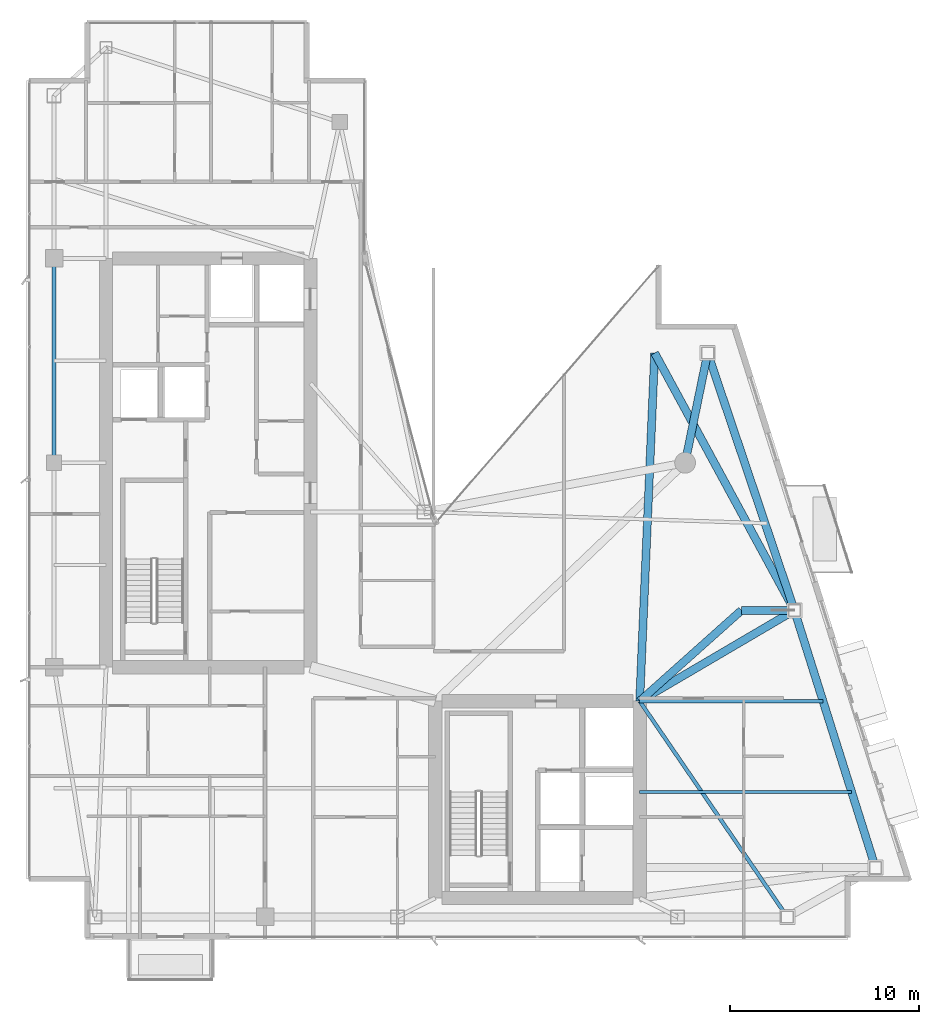
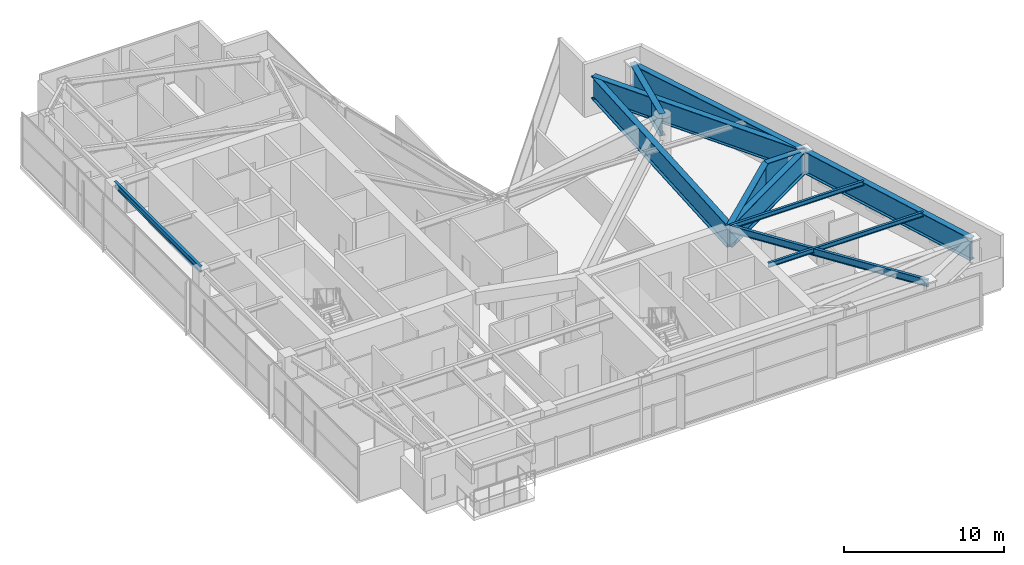
# One storey, part 15 of 29: 12 beams.
"""IFC4 building model written with IfcOpenShell, lengths in metres."""

import ifcopenshell
import ifcopenshell.guid

model = None  # the IFC model being written
_history = None  # IfcOwnerHistory: only IFC2X3 demands one
_inside = {}  # id of a spatial element -> (the spatial element, [elements in it])
_under = {}  # id of a project, library or spatial element -> (it, [spatial elements below it])
_declared = {}  # id of a project -> (the project, [libraries it declares])
_typed = {}  # id of a type object -> (the type object, [elements of that type])
_made_of = {}  # id of a material, layer set ... -> (it, [elements and type objects made of it])


def new_model(schema):
    """Start an empty IFC model of exactly this schema.

    Asked for "IFC4X3", IfcOpenShell would pick the latest addendum, in which some entities
    have other attributes; the version numbers below select the first issue.
    IFC2X3 requires an IfcOwnerHistory on every rooted entity: one is made here for all.
    """
    global model, _history
    if schema == "IFC4X3":
        model = ifcopenshell.file(schema_version=(4, 3, 0, 0))
    else:
        model = ifcopenshell.file(schema=schema)
    _inside.clear()
    _under.clear()
    _declared.clear()
    _typed.clear()
    _made_of.clear()
    _history = None
    if model.schema == "IFC2X3":
        org = make("IfcOrganization", Name="unknown")
        user = make(
            "IfcPersonAndOrganization",
            ThePerson=make("IfcPerson", FamilyName="unknown"),
            TheOrganization=org,
        )
        app = make(
            "IfcApplication",
            ApplicationDeveloper=org,
            Version="unknown",
            ApplicationFullName="unknown",
            ApplicationIdentifier="unknown",
        )
        _history = make(
            "IfcOwnerHistory",
            OwningUser=user,
            OwningApplication=app,
            ChangeAction="ADDED",
            CreationDate=0,
        )
    return model


def make(cls, **values):
    """One entity of the class cls with the attributes given. An attribute that is None is left unset."""
    return model.create_entity(
        cls, **{name: value for name, value in values.items() if value is not None}
    )


def rooted(cls, **values):
    """An entity with a GlobalId (a new one), such as an element, a storey or a relation."""
    return make(cls, GlobalId=ifcopenshell.guid.new(), OwnerHistory=_history, **values)


def si_unit(unit_type, name, prefix=None):
    """IfcSIUnit, for example si_unit("LENGTHUNIT", "METRE", prefix="MILLI")."""
    return make("IfcSIUnit", UnitType=unit_type, Prefix=prefix, Name=name)


def assignment(units):
    """IfcUnitAssignment: the units of a project."""
    return None if units is None else make("IfcUnitAssignment", Units=units)


def point(xyz):
    """IfcCartesianPoint."""
    return None if xyz is None else make("IfcCartesianPoint", Coordinates=xyz)


def direction(xyz):
    """IfcDirection."""
    return None if xyz is None else make("IfcDirection", DirectionRatios=xyz)


def frame(location, z_axis=None, x_axis=None):
    """IfcAxis2Placement3D, a coordinate frame: its origin and axes. An axis left out is left unset."""
    return make(
        "IfcAxis2Placement3D",
        Location=point(location),
        Axis=direction(z_axis),
        RefDirection=direction(x_axis),
    )


def frame_2d(location, x_axis=None):
    """IfcAxis2Placement2D, a coordinate frame in the plane: its origin and x axis."""
    return make(
        "IfcAxis2Placement2D", Location=point(location), RefDirection=direction(x_axis)
    )


def origin():
    """The frame at (0, 0, 0) with its axes left unset."""
    return frame((0.0, 0.0, 0.0))


def origin_2d():
    """The frame at (0, 0) in the plane with its x axis left unset."""
    return frame_2d((0.0, 0.0))


def place(relative_to, where):
    """IfcLocalPlacement: puts the frame where relative to a parent placement (None: the world)."""
    return make(
        "IfcLocalPlacement", PlacementRelTo=relative_to, RelativePlacement=where
    )


def context(
    kind, dimensions, precision=None, world=None, true_north=None, identifier=None
):
    """IfcGeometricRepresentationContext, for example the 3D "Model" context."""
    return make(
        "IfcGeometricRepresentationContext",
        ContextIdentifier=identifier,
        ContextType=kind,
        CoordinateSpaceDimension=dimensions,
        Precision=precision,
        WorldCoordinateSystem=world,
        TrueNorth=true_north,
    )


def subcontext(parent, identifier, kind, view, scale=None):
    """IfcGeometricRepresentationSubContext, for example "Body" below "Model"."""
    return make(
        "IfcGeometricRepresentationSubContext",
        ContextIdentifier=identifier,
        ContextType=kind,
        ParentContext=parent,
        TargetScale=scale,
        TargetView=view,
    )


def project(units=None, contexts=None):
    """IfcProject with its units and contexts."""
    return rooted(
        "IfcProject",
        Name="project",
        RepresentationContexts=contexts,
        UnitsInContext=assignment(units),
    )


def spatial(cls, under=None, at=None, **own):
    """A site, building, storey or space (cls), placed at a placement, below another one or the project."""
    s = rooted(cls, ObjectPlacement=at, **own)
    if under is not None:
        _under.setdefault(under.id(), (under, []))[1].append(s)
    return s


def profile(cls, at=None, kind="AREA", **sizes):
    """A parametric profile (cls). Its sizes go by their IFC names, for example OverallWidth=200.0."""
    return make(cls, ProfileType=kind, Position=at, **sizes)


def i_section(**sizes):
    """IfcIShapeProfileDef."""
    return profile("IfcIShapeProfileDef", **sizes)


def extrude(swept, where, along, depth):
    """IfcExtrudedAreaSolid: the profile swept, set in the frame where, extruded along a direction by depth."""
    return make(
        "IfcExtrudedAreaSolid",
        SweptArea=swept,
        Position=where,
        ExtrudedDirection=direction(along),
        Depth=depth,
    )


def shape(context_of_items, identifier, shape_type, items):
    """IfcShapeRepresentation: the items that make up one representation, for example the "Body"."""
    return make(
        "IfcShapeRepresentation",
        ContextOfItems=context_of_items,
        RepresentationIdentifier=identifier,
        RepresentationType=shape_type,
        Items=items,
    )


def material(Name=None, Category=None):
    """IfcMaterial."""
    return make("IfcMaterial", Name=Name, Category=Category)


def material_profile(
    of_material, cross_section, Name=None, Category=None, Priority=None
):
    """IfcMaterialProfile: a cross section and its material."""
    return make(
        "IfcMaterialProfile",
        Name=Name,
        Material=of_material,
        Profile=cross_section,
        Priority=Priority,
        Category=Category,
    )


def profile_set(profiles, Name=None, composite=None):
    """IfcMaterialProfileSet."""
    return make(
        "IfcMaterialProfileSet",
        Name=Name,
        MaterialProfiles=profiles,
        CompositeProfile=composite,
    )


def made_of(thing, what):
    """Note that an element or type object is made of a material, layer set ...; save() writes the relation."""
    if what is not None:
        _made_of.setdefault(what.id(), (what, []))[1].append(thing)
    return thing


def type_object(cls, material=None, **own):
    """A type object (cls), such as IfcWallType, which elements share."""
    return made_of(rooted(cls, **own), material)


def element(
    cls,
    number,
    at=None,
    inside=None,
    cuts=None,
    type_object=None,
    material=None,
    context=None,
    identifier="Body",
    shape_type=None,
    held_by="IfcProductDefinitionShape",
    body=None,
    shapes=None,
    **own,
):
    """One element of the class cls, such as IfcWall. Its Tag is "e" and its number.

    at: its placement. inside: the storey or other place that contains it. cuts: it is an
    opening in that element (IfcRelVoidsElement). A single representation is given by context,
    identifier, shape_type and body (its items); several are given by shapes. held_by: the class
    of the entity that holds the representations. save() writes the other relations.
    """
    e = rooted(cls, Tag="e%d" % number, ObjectPlacement=at, **own)
    if body is not None:
        shapes = [shape(context, identifier, shape_type, body)]
    if shapes is not None:
        e.Representation = make(held_by, Representations=shapes)
    if inside is not None:
        _inside.setdefault(inside.id(), (inside, []))[1].append(e)
    if cuts is not None:
        rooted(
            "IfcRelVoidsElement", RelatingBuildingElement=cuts, RelatedOpeningElement=e
        )
    if type_object is not None:
        _typed.setdefault(type_object.id(), (type_object, []))[1].append(e)
    return made_of(e, material)


def aggregate(whole, parts):
    """IfcRelAggregates: a whole, such as a stair, and the parts it consists of."""
    return rooted("IfcRelAggregates", RelatingObject=whole, RelatedObjects=parts)


def save(model, path):
    """Write the relations noted so far, then the file.

    IfcRelAggregates (storeys below a building ...), IfcRelContainedInSpatialStructure (elements
    in a storey), IfcRelDefinesByType, IfcRelAssociatesMaterial and IfcRelDeclares: one each for
    every whole, place, type object, material and project.
    """
    for whole, parts in _under.values():
        aggregate(whole, parts)
    for where, things in _inside.values():
        rooted(
            "IfcRelContainedInSpatialStructure",
            RelatedElements=things,
            RelatingStructure=where,
        )
    for kind, things in _typed.values():
        rooted("IfcRelDefinesByType", RelatedObjects=things, RelatingType=kind)
    for what, things in _made_of.values():
        rooted("IfcRelAssociatesMaterial", RelatedObjects=things, RelatingMaterial=what)
    for by, libraries in _declared.values():
        rooted("IfcRelDeclares", RelatingContext=by, RelatedDefinitions=libraries)
    model.write(path)


model = new_model("IFC4")

# Units and contexts
model_context = context("Model", 3, precision=1e-05, world=origin(), true_north=direction((0.0, 1.0)))
body_context = subcontext(model_context, "Body", "Model", "MODEL_VIEW")
ifc_project = project(units=[si_unit("LENGTHUNIT", "METRE"), si_unit("AREAUNIT", "SQUARE_METRE"), si_unit("VOLUMEUNIT", "CUBIC_METRE"), si_unit("PLANEANGLEUNIT", "RADIAN"), si_unit("MASSUNIT", "GRAM", prefix="KILO")], contexts=[model_context])

# Site, building, storey
site_placement = place(None, origin())
site = spatial("IfcSite", under=ifc_project, at=site_placement, CompositionType="ELEMENT")
building_placement = place(site_placement, origin())
building = spatial("IfcBuilding", under=site, at=building_placement, Name="Calvorn Quay Hotel", CompositionType="ELEMENT")
storey_placement = place(building_placement, frame((0.0, 0.0, 259.0)))
storey = spatial("IfcBuildingStorey", under=building, at=storey_placement, Name="L64", CompositionType="ELEMENT", Elevation=259.0)

# Beams
ifc_material_1 = material(Name="Steel Q355B", Category="steel")
ifc_material_profile_1 = material_profile(ifc_material_1, i_section(OverallWidth=0.199951171875, OverallDepth=0.550048828125, WebThickness=0.010009765625, FlangeThickness=0.01611328125, FilletRadius=0.01806640625, at=origin_2d()), Name="HN550x200x10x16")
ifc_profile_set_1 = profile_set([ifc_material_profile_1], Name="Steel Q355B")
beam_type_1 = type_object("IfcBeamType", Name="BM-GIRD-UPP", PredefinedType="BEAM", material=ifc_profile_set_1)
beam_1_placement = place(storey_placement, frame((40.199951171875, 3.60009765625, 3.77490234375), z_axis=(-0.564689618177, 0.825303359452, 0.0), x_axis=(-0.825303359452, -0.564689618177, 0.0)))
element("IfcBeam", 1, at=beam_1_placement, inside=storey, type_object=beam_type_1, Name="Beam BG-L64-E6", PredefinedType="BEAM", context=body_context, shape_type="SweptSolid", body=[
    extrude(i_section(OverallWidth=0.199951171875, OverallDepth=0.550048828125, WebThickness=0.010009765625, FlangeThickness=0.01611328125, FilletRadius=0.01806640625, at=origin_2d()), origin(), (0.0, 0.0, 1.0), 13.81298828125),
])
ifc_material_2 = material(Name="Steel Q355B", Category="steel")
ifc_material_profile_2 = material_profile(ifc_material_2, i_section(OverallWidth=0.175048828125, OverallDepth=0.35009765625, WebThickness=0.007080078125, FlangeThickness=0.010986328125, FilletRadius=0.013916015625, at=origin_2d()), Name="HN350x175x7x11")
ifc_profile_set_2 = profile_set([ifc_material_profile_2], Name="Steel Q355B")
beam_type_2 = type_object("IfcBeamType", Name="BM-JOIST-SEC", PredefinedType="JOIST", material=ifc_profile_set_2)
beam_2_placement = place(storey_placement, frame((32.39990234375, 10.199951171875, 3.875), z_axis=(1.0, 0.0, 0.0), x_axis=(0.0, 1.0, 0.0)))
element("IfcBeam", 2, at=beam_2_placement, inside=storey, type_object=beam_type_2, Name="Beam BJ-L64-E1", PredefinedType="JOIST", context=body_context, shape_type="SweptSolid", body=[
    extrude(i_section(OverallWidth=0.175048828125, OverallDepth=0.35009765625, WebThickness=0.007080078125, FlangeThickness=0.010986328125, FilletRadius=0.013916015625, at=origin_2d()), origin(), (0.0, 0.0, 1.0), 11.201171875),
])
beam_3_placement = place(storey_placement, frame((32.39990234375, 15.0, 3.875), z_axis=(1.0, 0.0, 0.0), x_axis=(0.0, 1.0, 0.0)))
element("IfcBeam", 3, at=beam_3_placement, inside=storey, type_object=beam_type_2, Name="Beam BJ-L64-E2", PredefinedType="JOIST", context=body_context, shape_type="SweptSolid", body=[
    extrude(i_section(OverallWidth=0.175048828125, OverallDepth=0.35009765625, WebThickness=0.007080078125, FlangeThickness=0.010986328125, FilletRadius=0.013916015625, at=origin_2d()), origin(), (0.0, 0.0, 1.0), 9.68798828125),
])
ifc_material_3 = material(Name="Steel Q355B", Category="steel")
ifc_material_profile_3 = material_profile(ifc_material_3, i_section(OverallWidth=0.199951171875, OverallDepth=0.449951171875, WebThickness=0.009033203125, FlangeThickness=0.013916015625, FilletRadius=0.01611328125, at=origin_2d()), Name="HN450x200x9x14")
ifc_profile_set_3 = profile_set([ifc_material_profile_3], Name="Steel Q355B")
beam_type_3 = type_object("IfcBeamType", Name="BM-SPANDREL-Z3", PredefinedType="SPANDREL", material=ifc_profile_set_3)
beam_4_placement = place(storey_placement, frame((1.449951171875, 27.60009765625, 3.824951171875), z_axis=(0.0, 1.0, 0.0), x_axis=(-1.0, 0.0, 0.0)))
element("IfcBeam", 4, at=beam_4_placement, inside=storey, type_object=beam_type_3, Name="Beam BSP-L64-W3", PredefinedType="SPANDREL", context=body_context, shape_type="SweptSolid", body=[
    extrude(i_section(OverallWidth=0.199951171875, OverallDepth=0.449951171875, WebThickness=0.009033203125, FlangeThickness=0.013916015625, FilletRadius=0.01611328125, at=origin_2d()), origin(), (0.0, 0.0, 1.0), 10.7998046875),
])
ifc_material_4 = material(Name="Steel Q420GJC", Category="steel")
ifc_material_profile_4 = material_profile(ifc_material_4, i_section(OverallWidth=0.419921875, OverallDepth=1.699951171875, WebThickness=0.02392578125, FlangeThickness=0.0419921875, FilletRadius=0.02392578125, at=origin_2d()), Name="HN1700x420x24x42")
ifc_profile_set_4 = profile_set([ifc_material_profile_4], Name="Steel Q420GJC")
beam_type_4 = type_object("IfcBeamType", Name="BM-XFER-SAWTOOTH", PredefinedType="BEAM", material=ifc_profile_set_4)
beam_5_placement = place(storey_placement, frame((32.39990234375, 15.0, 3.199951171875), z_axis=(0.745932853197, 0.66602115471, 0.0), x_axis=(-0.66602115471, 0.745932853197, 0.0)))
element("IfcBeam", 5, at=beam_5_placement, inside=storey, type_object=beam_type_4, Name="Beam BTG-L64-C-ET2A", PredefinedType="BEAM", context=body_context, shape_type="SweptSolid", body=[
    extrude(i_section(OverallWidth=0.419921875, OverallDepth=1.699951171875, WebThickness=0.02392578125, FlangeThickness=0.0419921875, FilletRadius=0.02392578125, at=origin_2d()), origin(), (0.0, 0.0, 1.0), 7.20703125),
])
beam_6_placement = place(storey_placement, frame((37.77587890625, 19.800048828125, 3.199951171875), z_axis=(1.0, 0.0, 0.0), x_axis=(0.0, 1.0, 0.0)))
element("IfcBeam", 6, at=beam_6_placement, inside=storey, type_object=beam_type_4, Name="Beam BTG-L64-C-ET2B", PredefinedType="BEAM", context=body_context, shape_type="SweptSolid", body=[
    extrude(i_section(OverallWidth=0.419921875, OverallDepth=1.699951171875, WebThickness=0.02392578125, FlangeThickness=0.0419921875, FilletRadius=0.02392578125, at=origin_2d()), origin(), (0.0, 0.0, 1.0), 2.800048828125),
])
beam_7_placement = place(storey_placement, frame((32.39990234375, 15.0, 3.199951171875), z_axis=(0.042950536419, 0.999077199931, 0.0), x_axis=(-0.999077199931, 0.042950536419, 0.0)))
element("IfcBeam", 7, at=beam_7_placement, inside=storey, type_object=beam_type_4, Name="Beam BTG-L64-C-ET3A", PredefinedType="BEAM", context=body_context, shape_type="SweptSolid", body=[
    extrude(i_section(OverallWidth=0.419921875, OverallDepth=1.699951171875, WebThickness=0.02392578125, FlangeThickness=0.0419921875, FilletRadius=0.02392578125, at=origin_2d()), origin(), (0.0, 0.0, 1.0), 18.4169921875),
])
beam_8_placement = place(storey_placement, frame((33.19091796875, 33.39990234375, 3.199951171875), z_axis=(0.477203264723, -0.878792947251, 0.0), x_axis=(0.878792947251, 0.477203264723, 0.0)))
element("IfcBeam", 8, at=beam_8_placement, inside=storey, type_object=beam_type_4, Name="Beam BTG-L64-C-ET3B", PredefinedType="BEAM", context=body_context, shape_type="SweptSolid", body=[
    extrude(i_section(OverallWidth=0.419921875, OverallDepth=1.699951171875, WebThickness=0.02392578125, FlangeThickness=0.0419921875, FilletRadius=0.02392578125, at=origin_2d()), origin(), (0.0, 0.0, 1.0), 15.4755859375),
])
beam_9_placement = place(storey_placement, frame((44.861083984375, 6.199951171875, 3.199951171875), z_axis=(-0.300518378216, 0.953776024208, 0.0), x_axis=(-0.953776024208, -0.300518378216, 0.0)))
element("IfcBeam", 9, at=beam_9_placement, inside=storey, type_object=beam_type_4, Name="Beam BSP-L64-E1", PredefinedType="BEAM", context=body_context, shape_type="SweptSolid", body=[
    extrude(i_section(OverallWidth=0.419921875, OverallDepth=1.699951171875, WebThickness=0.02392578125, FlangeThickness=0.0419921875, FilletRadius=0.02392578125, at=origin_2d()), origin(), (0.0, 0.0, 1.0), 14.25927734375),
])
beam_10_placement = place(storey_placement, frame((40.575927734375, 19.800048828125, 3.199951171875), z_axis=(-0.319466515944, 0.947597564998, 0.0), x_axis=(-0.947597564998, -0.319466515944, 0.0)))
element("IfcBeam", 10, at=beam_10_placement, inside=storey, type_object=beam_type_4, Name="Beam BSP-L64-E2", PredefinedType="BEAM", context=body_context, shape_type="SweptSolid", body=[
    extrude(i_section(OverallWidth=0.419921875, OverallDepth=1.699951171875, WebThickness=0.02392578125, FlangeThickness=0.0419921875, FilletRadius=0.02392578125, at=origin_2d()), origin(), (0.0, 0.0, 1.0), 14.35205078125),
])
beam_11_placement = place(storey_placement, frame((35.990966796875, 33.39990234375, 3.199951171875), z_axis=(-0.201140971716, -0.979562305061, 0.0), x_axis=(0.979562305061, -0.201140971716, 0.0)))
element("IfcBeam", 11, at=beam_11_placement, inside=storey, type_object=beam_type_4, Name="Beam BSP-L64-E3", PredefinedType="BEAM", context=body_context, shape_type="SweptSolid", body=[
    extrude(i_section(OverallWidth=0.419921875, OverallDepth=1.699951171875, WebThickness=0.02392578125, FlangeThickness=0.0419921875, FilletRadius=0.02392578125, at=origin_2d()), origin(), (0.0, 0.0, 1.0), 5.9208984375),
])
beam_12_placement = place(storey_placement, frame((32.39990234375, 15.0, 3.199951171875), z_axis=(0.862366169926, 0.506285086653, 0.0), x_axis=(-0.506285086653, 0.862366169926, 0.0)))
element("IfcBeam", 12, at=beam_12_placement, inside=storey, type_object=beam_type_4, Name="Beam BTG-L64-02", PredefinedType="BEAM", context=body_context, shape_type="SweptSolid", body=[
    extrude(i_section(OverallWidth=0.419921875, OverallDepth=1.699951171875, WebThickness=0.02392578125, FlangeThickness=0.0419921875, FilletRadius=0.02392578125, at=origin_2d()), origin(), (0.0, 0.0, 1.0), 9.48095703125),
])

save(model, "model.ifc")
